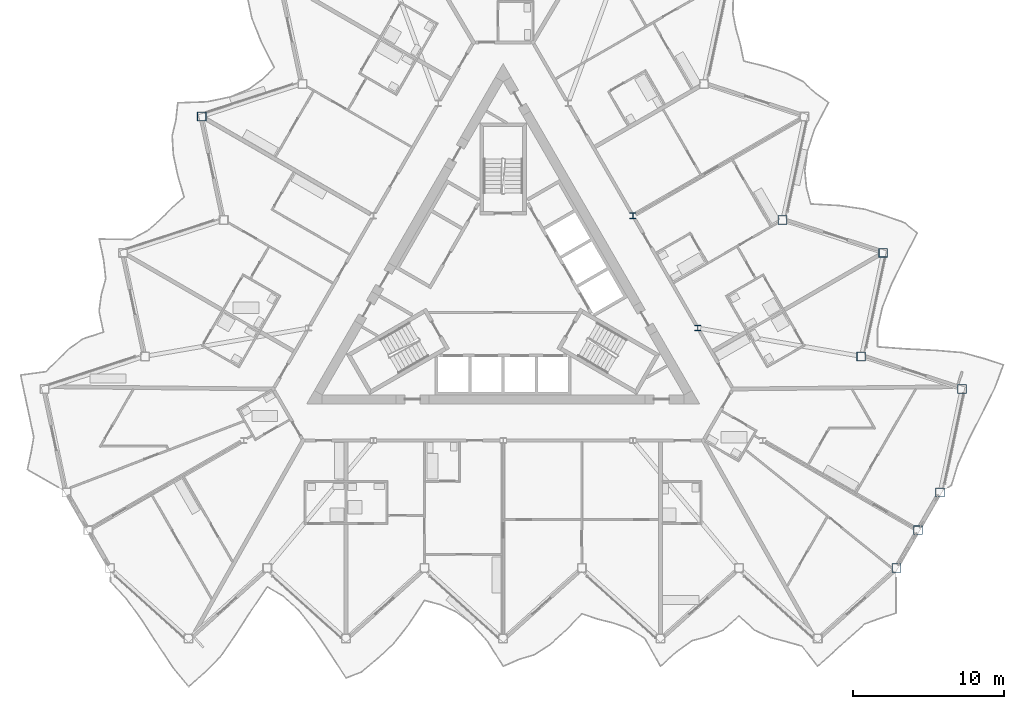
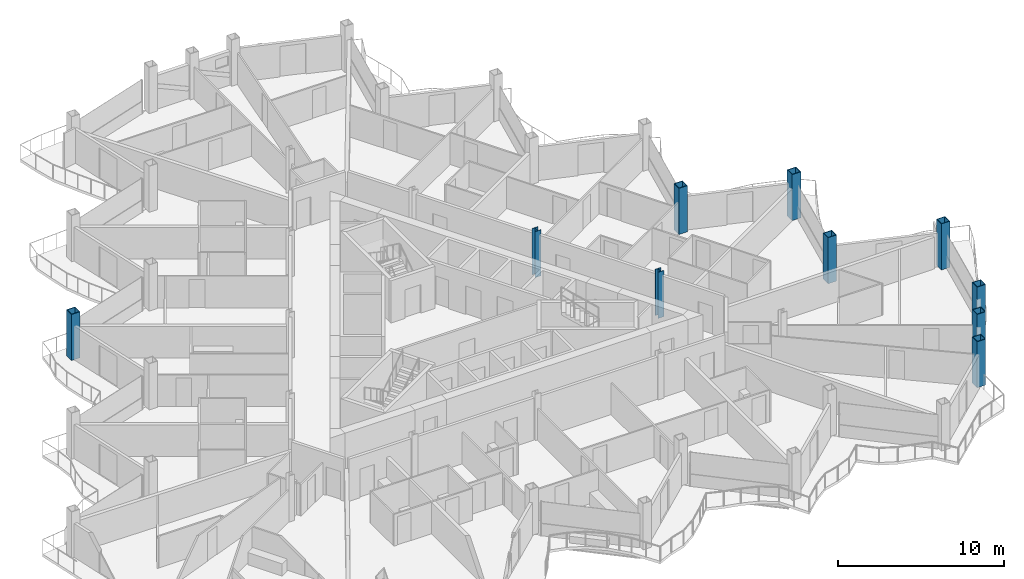
# One storey, part 2 of 27: 10 columns.
"""IFC4 building model written with IfcOpenShell, lengths in metres."""

from ifc_helpers import new_model, si_unit, direction, frame, origin, origin_2d, place, context, subcontext, project, spatial, hollow_rectangle, i_section, extrude, material, material_profile, profile_set, type_object, element, save


model = new_model("IFC4")

# Units and contexts
model_context = context("Model", 3, precision=1e-05, world=origin(), true_north=direction((0.0, 1.0)))
body_context = subcontext(model_context, "Body", "Model", "MODEL_VIEW")
ifc_project = project(units=[si_unit("LENGTHUNIT", "METRE"), si_unit("AREAUNIT", "SQUARE_METRE"), si_unit("VOLUMEUNIT", "CUBIC_METRE"), si_unit("PLANEANGLEUNIT", "RADIAN"), si_unit("MASSUNIT", "GRAM", prefix="KILO")], contexts=[model_context])

# Site, building, storey
site_placement = place(None, origin())
site = spatial("IfcSite", under=ifc_project, at=site_placement, CompositionType="ELEMENT")
building_placement = place(site_placement, origin())
building = spatial("IfcBuilding", under=site, at=building_placement, Name="Cormorant Prow Tower", CompositionType="ELEMENT")
storey_placement = place(building_placement, frame((0.0, 0.0, 335.800048828125)))
storey = spatial("IfcBuildingStorey", under=building, at=storey_placement, Name="L75", CompositionType="ELEMENT", Elevation=335.800048828125)

# Columns
ifc_material_1 = material(Name="Structural steel ASTM A572 Gr 50", Category="steel")
ifc_material_profile_1 = material_profile(ifc_material_1, hollow_rectangle(XDim=0.60009765625, YDim=0.60009765625, WallThickness=0.0400390625, at=origin_2d()), Name="Box 600x600x40")
ifc_profile_set_1 = profile_set([ifc_material_profile_1], Name="Structural steel ASTM A572 Gr 50")
column_type_1 = type_object("IfcColumnType", Name="Perimeter box column 600x600x40", PredefinedType="COLUMN", material=ifc_profile_set_1)
for number, where, z_axis, x_axis, name in (
    (1, (25.995361328125, -18.326904296875, 0.0), (0.0, 0.0, 1.0), (1.0, 0.0, 0.0), "Perimeter column C6 at ESE00 L75"),
    (2, (27.432373046875, -15.838134765625, 0.0), (0.0, 0.0, 1.0), (1.0, 0.0, 0.0), "Perimeter column C6 at ESE01 L75"),
    (3, (28.869140625, -13.349365234375, 0.0), (0.0, 0.0, 1.0), (1.0, 0.0, 0.0), "Perimeter column C6 at ENE00 L75"),
    (4, (30.32373046875, -6.506103515625, 0.0), (0.0, 0.0, 1.0), (1.0, 0.0, 0.0), "Perimeter column C6 at ENE01 L75"),
    (5, (23.670166015625, -4.34423828125, 0.0), (0.0, 0.0, 1.0), (1.0, 0.0, 0.0), "Perimeter column C6 at ENE02 L75"),
    (6, (25.124755859375, 2.4990234375, 0.0), (0.0, 0.0, 1.0), (1.0, 0.0, 0.0), "Perimeter column C6 at ENE03 L75"),
    (7, (18.470947265625, 4.660888671875, 0.0), (0.0, 0.0, 1.0), (1.0, 0.0, 0.0), "Perimeter column C6 at ENE04 L75"),
    (8, (-19.925537109375, 11.504150390625, 0.0), (0.0, 0.0, 1.0), (1.0, 0.0, 0.0), "Perimeter column C6 at WNW05 L75"),
):
    element("IfcColumn", number, at=place(storey_placement, frame(where, z_axis=z_axis, x_axis=x_axis)), inside=storey, type_object=column_type_1, Name=name, PredefinedType="COLUMN", context=body_context, shape_type="SweptSolid", body=[
        extrude(hollow_rectangle(XDim=0.60009765625, YDim=0.60009765625, WallThickness=0.0400390625, at=origin_2d()), origin(), (0.0, 0.0, 1.0), 3.39990234375),
    ])
ifc_material_2 = material(Name="Structural steel ASTM A992 Gr 50", Category="steel")
ifc_material_profile_2 = material_profile(ifc_material_2, i_section(OverallWidth=0.3955078125, OverallDepth=0.380615234375, WebThickness=0.018798828125, FlangeThickness=0.0302734375, at=origin_2d()), Name="W14x159")
ifc_profile_set_2 = profile_set([ifc_material_profile_2], Name="Structural steel ASTM A992 Gr 50")
column_type_2 = type_object("IfcColumnType", Name="Ring column W14x159", PredefinedType="COLUMN", material=ifc_profile_set_2)
for number, where, z_axis, x_axis, name in (
    (9, (12.86767578125, -2.476318359375, 0.0), (0.0, 0.0, 1.0), (1.0, 0.0, 0.0), "Ring column 10 L75"),
    (10, (8.578369140625, 4.952880859375, 0.0), (0.0, 0.0, 1.0), (1.0, 0.0, 0.0), "Ring column 11 L75"),
):
    element("IfcColumn", number, at=place(storey_placement, frame(where, z_axis=z_axis, x_axis=x_axis)), inside=storey, type_object=column_type_2, Name=name, PredefinedType="COLUMN", context=body_context, shape_type="SweptSolid", body=[
        extrude(i_section(OverallWidth=0.3955078125, OverallDepth=0.380615234375, WebThickness=0.018798828125, FlangeThickness=0.0302734375, at=origin_2d()), origin(), (0.0, 0.0, 1.0), 3.39990234375),
    ])

save(model, "model.ifc")
